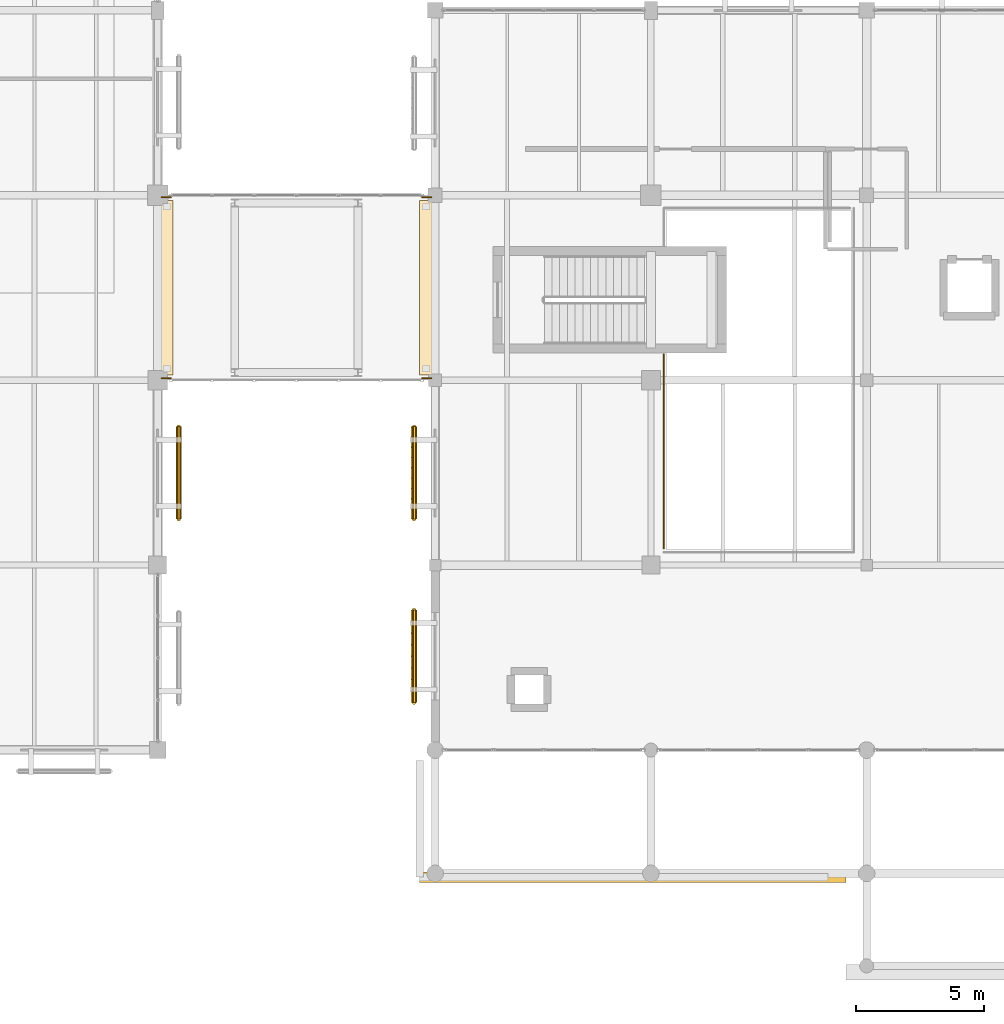
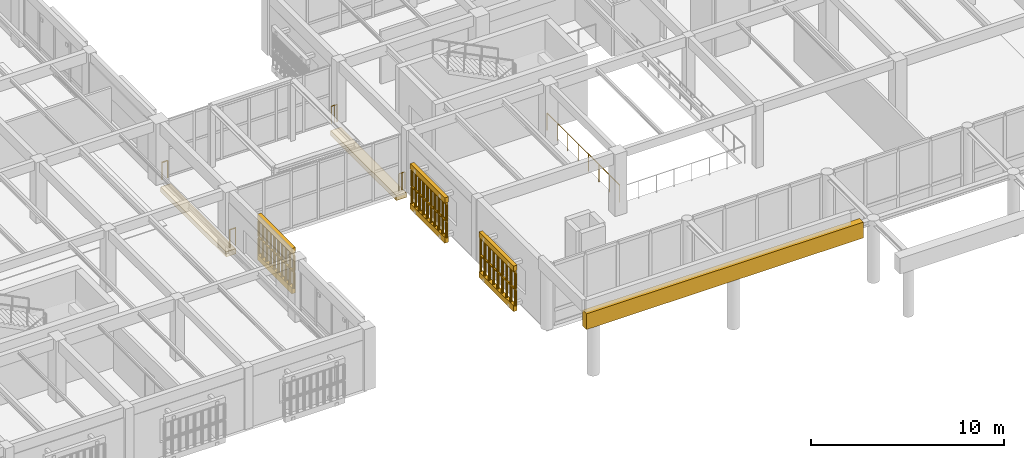
# One storey, part 150 of 170: 11 railings, 9 coverings.
"""IFC4 building model written with IfcOpenShell, lengths in metres."""

from ifc_helpers import new_model, si_unit, direction, frame, origin, origin_2d, place, context, subcontext, project, spatial, polyline, circle, outline, extrude, material, layer, layer_set, type_object, element, save


model = new_model("IFC4")

# Units and contexts
model_context = context("Model", 3, precision=1e-05, world=origin(), true_north=direction((0.0, 1.0)))
body_context = subcontext(model_context, "Body", "Model", "MODEL_VIEW")
ifc_project = project(units=[si_unit("LENGTHUNIT", "METRE"), si_unit("AREAUNIT", "SQUARE_METRE"), si_unit("VOLUMEUNIT", "CUBIC_METRE"), si_unit("PLANEANGLEUNIT", "RADIAN"), si_unit("MASSUNIT", "GRAM", prefix="KILO")], contexts=[model_context])

# Site, building, storey
site_placement = place(None, origin())
site = spatial("IfcSite", under=ifc_project, at=site_placement, CompositionType="ELEMENT")
building_placement = place(site_placement, origin())
building = spatial("IfcBuilding", under=site, at=building_placement, Name="Mazaris Harbour Polytechnic", CompositionType="ELEMENT")
storey_placement = place(building_placement, frame((0.0, 0.0, 5.39990234375)))
storey = spatial("IfcBuildingStorey", under=building, at=storey_placement, Name="L01", CompositionType="ELEMENT", Elevation=5.39990234375)

# Coverings
ifc_material_1 = material(Name="Concrete C40/50", Category="concrete")
ifc_layer_1 = layer(ifc_material_1, 0.320068359375, Name="Concrete C40/50")
ifc_layer_set_1 = layer_set([ifc_layer_1], Name="Concrete C40/50")
covering_type_1 = type_object("IfcCoveringType", Name="Bridge Bearing Corbel 600 Exterior", PredefinedType="CLADDING", material=ifc_layer_set_1)
covering_1_placement = place(storey_placement, frame((0.0, 0.0, -0.64990234375)))
element("IfcCovering", 1, at=covering_1_placement, inside=storey, type_object=covering_type_1, Name="PB-W1 L01 600mm Bridge Bearing Seat Corbel W", PredefinedType="CLADDING", context=body_context, shape_type="SweptSolid", body=[
    extrude(outline(polyline([(43.199951171875, 21.800048828125), (43.800048828125, 21.800048828125), (43.800048828125, 28.60009765625), (43.199951171875, 28.60009765625), (43.199951171875, 21.800048828125)])), origin(), (0.0, 0.0, 1.0), 0.320068359375),
])
covering_2_placement = place(storey_placement, frame((0.0, 0.0, -0.64990234375)))
element("IfcCovering", 2, at=covering_2_placement, inside=storey, type_object=covering_type_1, Name="PB-W1 L01 600mm Bridge Bearing Seat Corbel E", PredefinedType="CLADDING", context=body_context, shape_type="SweptSolid", body=[
    extrude(outline(polyline([(53.39990234375, 21.800048828125), (54.0, 21.800048828125), (54.0, 28.60009765625), (53.39990234375, 28.60009765625), (53.39990234375, 21.800048828125)])), origin(), (0.0, 0.0, 1.0), 0.320068359375),
])
ifc_material_2 = material(Name="Algerian Buff Limestone", Category="masonry")
ifc_layer_2 = layer(ifc_material_2, 0.054931640625, Name="Algerian Buff Limestone")
ifc_layer_set_2 = layer_set([ifc_layer_2], Name="Algerian Buff Limestone")
covering_type_2 = type_object("IfcCoveringType", Name="Limestone Colonnade Fascia Cladding 55", PredefinedType="CLADDING", material=ifc_layer_set_2)
covering_3_placement = place(storey_placement, frame((0.0, 0.0, 3.150146484375)))
element("IfcCovering", 3, at=covering_3_placement, inside=storey, type_object=covering_type_2, Name="Covering COV-CL-01", PredefinedType="CLADDING", context=body_context, shape_type="SweptSolid", body=[
    extrude(outline(polyline([(53.39990234375, 2.050048828125), (70.0, 2.050048828125), (70.0, 2.449951171875), (53.39990234375, 2.449951171875), (53.39990234375, 2.050048828125)])), origin(), (0.0, 0.0, 1.0), 1.0),
])

# Railings
ifc_material_3 = material(Name="Steel S355", Category="steel")
railing_type_1 = type_object("IfcRailingType", Name="Mezzanine Steel Guardrail 1100", PredefinedType="GUARDRAIL", material=ifc_material_3)
railing_1_placement = place(storey_placement, frame((62.89990234375, 22.60009765625, 0.0)))
element("IfcRailing", 4, at=railing_1_placement, inside=storey, type_object=railing_type_1, Name="Railing GRD-V3-REF-3", PredefinedType="GUARDRAIL", context=body_context, shape_type="SweptSolid", body=[
    extrude(circle(Radius=0.02392578125, at=origin_2d()), frame((0.0, 0.0, 1.09619140625), z_axis=(0.0, -1.0, 0.0), x_axis=(1.0, 0.0, 0.0)), (0.0, 0.0, 1.0), 7.550048828125),
    extrude(circle(Radius=0.02099609375, at=origin_2d()), origin(), (0.0, 0.0, 1.0), 1.072021484375),
    extrude(circle(Radius=0.02099609375, at=origin_2d()), frame((0.0, -1.07861328125, 0.0)), (0.0, 0.0, 1.0), 1.072021484375),
    extrude(circle(Radius=0.02099609375, at=origin_2d()), frame((0.0, -2.1572265625, 0.0)), (0.0, 0.0, 1.0), 1.072021484375),
    extrude(circle(Radius=0.02099609375, at=origin_2d()), frame((0.0, -3.23583984375, 0.0)), (0.0, 0.0, 1.0), 1.072021484375),
    extrude(circle(Radius=0.02099609375, at=origin_2d()), frame((0.0, -4.314208984375, 0.0)), (0.0, 0.0, 1.0), 1.072021484375),
    extrude(circle(Radius=0.02099609375, at=origin_2d()), frame((0.0, -5.392822265625, 0.0)), (0.0, 0.0, 1.0), 1.072021484375),
    extrude(circle(Radius=0.02099609375, at=origin_2d()), frame((0.0, -6.471435546875, 0.0)), (0.0, 0.0, 1.0), 1.072021484375),
    extrude(circle(Radius=0.02099609375, at=origin_2d()), frame((0.0, -7.550048828125, 0.0)), (0.0, 0.0, 1.0), 1.072021484375),
])
ifc_material_4 = material(Name="Steel S355", Category="steel")
railing_type_2 = type_object("IfcRailingType", Name="Mezzanine Steel Guardrail 1100 Exterior", PredefinedType="GUARDRAIL", material=ifc_material_4)
railing_2_placement = place(storey_placement, frame((43.35009765625, 21.679931640625, 0.0)))
element("IfcRailing", 5, at=railing_2_placement, inside=storey, type_object=railing_type_2, Name="PB-W1 L01 Bridge End Guard W0", PredefinedType="GUARDRAIL", context=body_context, shape_type="SweptSolid", body=[
    extrude(circle(Radius=0.02392578125, at=origin_2d()), frame((0.0, 0.0, 1.09619140625), z_axis=(1.0, 0.0, 0.0), x_axis=(0.0, 1.0, 0.0)), (0.0, 0.0, 1.0), 0.349853515625),
    extrude(circle(Radius=0.02099609375, at=origin_2d()), origin(), (0.0, 0.0, 1.0), 1.072021484375),
    extrude(circle(Radius=0.02099609375, at=origin_2d()), frame((0.349853515625, 0.0, 0.0)), (0.0, 0.0, 1.0), 1.072021484375),
])
railing_3_placement = place(storey_placement, frame((53.5, 21.679931640625, 0.0)))
element("IfcRailing", 6, at=railing_3_placement, inside=storey, type_object=railing_type_2, Name="PB-W1 L01 Bridge End Guard E0", PredefinedType="GUARDRAIL", context=body_context, shape_type="SweptSolid", body=[
    extrude(circle(Radius=0.02392578125, at=origin_2d()), frame((0.0, 0.0, 1.09619140625), z_axis=(1.0, 0.0, 0.0), x_axis=(0.0, 1.0, 0.0)), (0.0, 0.0, 1.0), 0.35009765625),
    extrude(circle(Radius=0.02099609375, at=origin_2d()), origin(), (0.0, 0.0, 1.0), 1.072021484375),
    extrude(circle(Radius=0.02099609375, at=origin_2d()), frame((0.175048828125, 0.0, 0.0)), (0.0, 0.0, 1.0), 1.072021484375),
    extrude(circle(Radius=0.02099609375, at=origin_2d()), frame((0.35009765625, 0.0, 0.0)), (0.0, 0.0, 1.0), 1.072021484375),
])
railing_4_placement = place(storey_placement, frame((43.35009765625, 28.719970703125, 0.0)))
element("IfcRailing", 7, at=railing_4_placement, inside=storey, type_object=railing_type_2, Name="PB-W1 L01 Bridge End Guard W1", PredefinedType="GUARDRAIL", context=body_context, shape_type="SweptSolid", body=[
    extrude(circle(Radius=0.02392578125, at=origin_2d()), frame((0.0, 0.0, 1.09619140625), z_axis=(1.0, 0.0, 0.0), x_axis=(0.0, 1.0, 0.0)), (0.0, 0.0, 1.0), 0.349853515625),
    extrude(circle(Radius=0.02099609375, at=origin_2d()), origin(), (0.0, 0.0, 1.0), 1.072021484375),
    extrude(circle(Radius=0.02099609375, at=origin_2d()), frame((0.349853515625, 0.0, 0.0)), (0.0, 0.0, 1.0), 1.072021484375),
])
railing_5_placement = place(storey_placement, frame((53.5, 28.719970703125, 0.0)))
element("IfcRailing", 8, at=railing_5_placement, inside=storey, type_object=railing_type_2, Name="PB-W1 L01 Bridge End Guard E1", PredefinedType="GUARDRAIL", context=body_context, shape_type="SweptSolid", body=[
    extrude(circle(Radius=0.02392578125, at=origin_2d()), frame((0.0, 0.0, 1.09619140625), z_axis=(1.0, 0.0, 0.0), x_axis=(0.0, 1.0, 0.0)), (0.0, 0.0, 1.0), 0.35009765625),
    extrude(circle(Radius=0.02099609375, at=origin_2d()), origin(), (0.0, 0.0, 1.0), 1.072021484375),
    extrude(circle(Radius=0.02099609375, at=origin_2d()), frame((0.175048828125, 0.0, 0.0)), (0.0, 0.0, 1.0), 1.072021484375),
    extrude(circle(Radius=0.02099609375, at=origin_2d()), frame((0.35009765625, 0.0, 0.0)), (0.0, 0.0, 1.0), 1.072021484375),
])
ifc_material_5 = material(Name="Perforated Earth-Coloured Terracotta Block", Category="masonry")
railing_type_3 = type_object("IfcRailingType", Name="Perforated Earth-Block Claustra Lattice 1040", PredefinedType="BALUSTRADE", material=ifc_material_5)
for number, where, name in (
    (9, (53.179931640625, 9.050048828125, 0.52001953125), "V3 L01 Lower Perforated Terracotta Block Screen 116"),
    (10, (53.179931640625, 9.050048828125, 1.610107421875), "V3 L01 Upper Perforated Terracotta Block Screen 116"),
):
    element("IfcRailing", number, at=place(storey_placement, frame(where)), inside=storey, type_object=railing_type_3, Name=name, PredefinedType="BALUSTRADE", context=body_context, shape_type="SweptSolid", body=[
        extrude(circle(Radius=0.06982421875, at=origin_2d()), frame((0.0, 0.0, 1.02001953125), z_axis=(0.0, 1.0, 0.0), x_axis=(-1.0, 0.0, 0.0)), (0.0, 0.0, 1.0), 3.599853515625),
        extrude(circle(Radius=0.074951171875, at=origin_2d()), origin(), (0.0, 0.0, 1.0), 0.9501953125),
        extrude(circle(Radius=0.074951171875, at=origin_2d()), frame((0.0, 0.449951171875, 0.0)), (0.0, 0.0, 1.0), 0.9501953125),
        extrude(circle(Radius=0.074951171875, at=origin_2d()), frame((0.0, 0.89990234375, 0.0)), (0.0, 0.0, 1.0), 0.9501953125),
        extrude(circle(Radius=0.074951171875, at=origin_2d()), frame((0.0, 1.349853515625, 0.0)), (0.0, 0.0, 1.0), 0.9501953125),
        extrude(circle(Radius=0.074951171875, at=origin_2d()), frame((0.0, 1.7998046875, 0.0)), (0.0, 0.0, 1.0), 0.9501953125),
        extrude(circle(Radius=0.074951171875, at=origin_2d()), frame((0.0, 2.25, 0.0)), (0.0, 0.0, 1.0), 0.9501953125),
        extrude(circle(Radius=0.074951171875, at=origin_2d()), frame((0.0, 2.699951171875, 0.0)), (0.0, 0.0, 1.0), 0.9501953125),
        extrude(circle(Radius=0.074951171875, at=origin_2d()), frame((0.0, 3.14990234375, 0.0)), (0.0, 0.0, 1.0), 0.9501953125),
        extrude(circle(Radius=0.074951171875, at=origin_2d()), frame((0.0, 3.599853515625, 0.0)), (0.0, 0.0, 1.0), 0.9501953125),
    ])
for number, where, name in (
    (11, (53.179931640625, 16.1875, 0.52001953125), "V3 L01 Lower Perforated Terracotta Block Screen 117"),
    (12, (53.179931640625, 16.1875, 1.610107421875), "V3 L01 Upper Perforated Terracotta Block Screen 117"),
):
    element("IfcRailing", number, at=place(storey_placement, frame(where)), inside=storey, type_object=railing_type_3, Name=name, PredefinedType="BALUSTRADE", context=body_context, shape_type="SweptSolid", body=[
        extrude(circle(Radius=0.06982421875, at=origin_2d()), frame((0.0, 0.0, 1.02001953125), z_axis=(0.0, 1.0, 0.0), x_axis=(-1.0, 0.0, 0.0)), (0.0, 0.0, 1.0), 3.60009765625),
        extrude(circle(Radius=0.074951171875, at=origin_2d()), origin(), (0.0, 0.0, 1.0), 0.9501953125),
        extrude(circle(Radius=0.074951171875, at=origin_2d()), frame((0.0, 0.39990234375, 0.0)), (0.0, 0.0, 1.0), 0.9501953125),
        extrude(circle(Radius=0.074951171875, at=origin_2d()), frame((0.0, 0.800048828125, 0.0)), (0.0, 0.0, 1.0), 0.9501953125),
        extrude(circle(Radius=0.074951171875, at=origin_2d()), frame((0.0, 1.199951171875, 0.0)), (0.0, 0.0, 1.0), 0.9501953125),
        extrude(circle(Radius=0.074951171875, at=origin_2d()), frame((0.0, 1.60009765625, 0.0)), (0.0, 0.0, 1.0), 0.9501953125),
        extrude(circle(Radius=0.074951171875, at=origin_2d()), frame((0.0, 2.0, 0.0)), (0.0, 0.0, 1.0), 0.9501953125),
        extrude(circle(Radius=0.074951171875, at=origin_2d()), frame((0.0, 2.400146484375, 0.0)), (0.0, 0.0, 1.0), 0.9501953125),
        extrude(circle(Radius=0.074951171875, at=origin_2d()), frame((0.0, 2.800048828125, 0.0)), (0.0, 0.0, 1.0), 0.9501953125),
        extrude(circle(Radius=0.074951171875, at=origin_2d()), frame((0.0, 3.2001953125, 0.0)), (0.0, 0.0, 1.0), 0.9501953125),
        extrude(circle(Radius=0.074951171875, at=origin_2d()), frame((0.0, 3.60009765625, 0.0)), (0.0, 0.0, 1.0), 0.9501953125),
    ])
for number, where, name in (
    (13, (44.02001953125, 19.78759765625, 0.52001953125), "V4 L01 Lower Perforated Terracotta Block Screen 180"),
    (14, (44.02001953125, 19.78759765625, 1.610107421875), "V4 L01 Upper Perforated Terracotta Block Screen 180"),
):
    element("IfcRailing", number, at=place(storey_placement, frame(where)), inside=storey, type_object=railing_type_3, Name=name, PredefinedType="BALUSTRADE", context=body_context, shape_type="SweptSolid", body=[
        extrude(circle(Radius=0.06982421875, at=origin_2d()), frame((0.0, 0.0, 1.02001953125), z_axis=(0.0, -1.0, 0.0), x_axis=(1.0, 0.0, 0.0)), (0.0, 0.0, 1.0), 3.60009765625),
        extrude(circle(Radius=0.074951171875, at=origin_2d()), origin(), (0.0, 0.0, 1.0), 0.9501953125),
        extrude(circle(Radius=0.074951171875, at=origin_2d()), frame((0.0, -0.39990234375, 0.0)), (0.0, 0.0, 1.0), 0.9501953125),
        extrude(circle(Radius=0.074951171875, at=origin_2d()), frame((0.0, -0.800048828125, 0.0)), (0.0, 0.0, 1.0), 0.9501953125),
        extrude(circle(Radius=0.074951171875, at=origin_2d()), frame((0.0, -1.199951171875, 0.0)), (0.0, 0.0, 1.0), 0.9501953125),
        extrude(circle(Radius=0.074951171875, at=origin_2d()), frame((0.0, -1.60009765625, 0.0)), (0.0, 0.0, 1.0), 0.9501953125),
        extrude(circle(Radius=0.074951171875, at=origin_2d()), frame((0.0, -2.0, 0.0)), (0.0, 0.0, 1.0), 0.9501953125),
        extrude(circle(Radius=0.074951171875, at=origin_2d()), frame((0.0, -2.400146484375, 0.0)), (0.0, 0.0, 1.0), 0.9501953125),
        extrude(circle(Radius=0.074951171875, at=origin_2d()), frame((0.0, -2.800048828125, 0.0)), (0.0, 0.0, 1.0), 0.9501953125),
        extrude(circle(Radius=0.074951171875, at=origin_2d()), frame((0.0, -3.2001953125, 0.0)), (0.0, 0.0, 1.0), 0.9501953125),
        extrude(circle(Radius=0.074951171875, at=origin_2d()), frame((0.0, -3.60009765625, 0.0)), (0.0, 0.0, 1.0), 0.9501953125),
    ])

# Coverings
ifc_material_6 = material(Name="Perforated Earth-Coloured Terracotta Block", Category="masonry")
ifc_layer_3 = layer(ifc_material_6, 0.219970703125, Name="Perforated Earth-Coloured Terracotta Block")
ifc_layer_set_3 = layer_set([ifc_layer_3], Name="Perforated Earth-Coloured Terracotta Block")
covering_type_3 = type_object("IfcCoveringType", Name="Terracotta Screen Course Cladding 220", PredefinedType="CLADDING", material=ifc_layer_set_3)
covering_4_placement = place(storey_placement, frame((0.0, 0.0, 0.16015625)))
element("IfcCovering", 15, at=covering_4_placement, inside=storey, type_object=covering_type_3, Name="V3 L01 Perforated Screen Sill Course 116", PredefinedType="CLADDING", context=body_context, shape_type="SweptSolid", body=[
    extrude(outline(polyline([(53.2900390625, 9.050048828125), (53.2900390625, 12.64990234375), (53.070068359375, 12.64990234375), (53.070068359375, 9.050048828125), (53.2900390625, 9.050048828125)])), origin(), (0.0, 0.0, 1.0), 0.35986328125),
])
covering_5_placement = place(storey_placement, frame((0.0, 0.0, 2.7001953125)))
element("IfcCovering", 16, at=covering_5_placement, inside=storey, type_object=covering_type_3, Name="V3 L01 Perforated Screen Lintel Course 116", PredefinedType="CLADDING", context=body_context, shape_type="SweptSolid", body=[
    extrude(outline(polyline([(53.2900390625, 9.050048828125), (53.2900390625, 12.64990234375), (53.070068359375, 12.64990234375), (53.070068359375, 9.050048828125), (53.2900390625, 9.050048828125)])), origin(), (0.0, 0.0, 1.0), 0.33984375),
])
covering_6_placement = place(storey_placement, frame((0.0, 0.0, 0.16015625)))
element("IfcCovering", 17, at=covering_6_placement, inside=storey, type_object=covering_type_3, Name="V3 L01 Perforated Screen Sill Course 117", PredefinedType="CLADDING", context=body_context, shape_type="SweptSolid", body=[
    extrude(outline(polyline([(53.2900390625, 16.1875), (53.2900390625, 19.78759765625), (53.070068359375, 19.78759765625), (53.070068359375, 16.1875), (53.2900390625, 16.1875)])), origin(), (0.0, 0.0, 1.0), 0.35986328125),
])
covering_7_placement = place(storey_placement, frame((0.0, 0.0, 2.7001953125)))
element("IfcCovering", 18, at=covering_7_placement, inside=storey, type_object=covering_type_3, Name="V3 L01 Perforated Screen Lintel Course 117", PredefinedType="CLADDING", context=body_context, shape_type="SweptSolid", body=[
    extrude(outline(polyline([(53.2900390625, 16.1875), (53.2900390625, 19.78759765625), (53.070068359375, 19.78759765625), (53.070068359375, 16.1875), (53.2900390625, 16.1875)])), origin(), (0.0, 0.0, 1.0), 0.33984375),
])
covering_8_placement = place(storey_placement, frame((0.0, 0.0, 0.16015625)))
element("IfcCovering", 19, at=covering_8_placement, inside=storey, type_object=covering_type_3, Name="V4 L01 Perforated Screen Sill Course 180", PredefinedType="CLADDING", context=body_context, shape_type="SweptSolid", body=[
    extrude(outline(polyline([(43.909912109375, 19.78759765625), (43.909912109375, 16.1875), (44.1298828125, 16.1875), (44.1298828125, 19.78759765625), (43.909912109375, 19.78759765625)])), origin(), (0.0, 0.0, 1.0), 0.35986328125),
])
covering_9_placement = place(storey_placement, frame((0.0, 0.0, 2.7001953125)))
element("IfcCovering", 20, at=covering_9_placement, inside=storey, type_object=covering_type_3, Name="V4 L01 Perforated Screen Lintel Course 180", PredefinedType="CLADDING", context=body_context, shape_type="SweptSolid", body=[
    extrude(outline(polyline([(43.909912109375, 19.78759765625), (43.909912109375, 16.1875), (44.1298828125, 16.1875), (44.1298828125, 19.78759765625), (43.909912109375, 19.78759765625)])), origin(), (0.0, 0.0, 1.0), 0.33984375),
])

save(model, "model.ifc")
